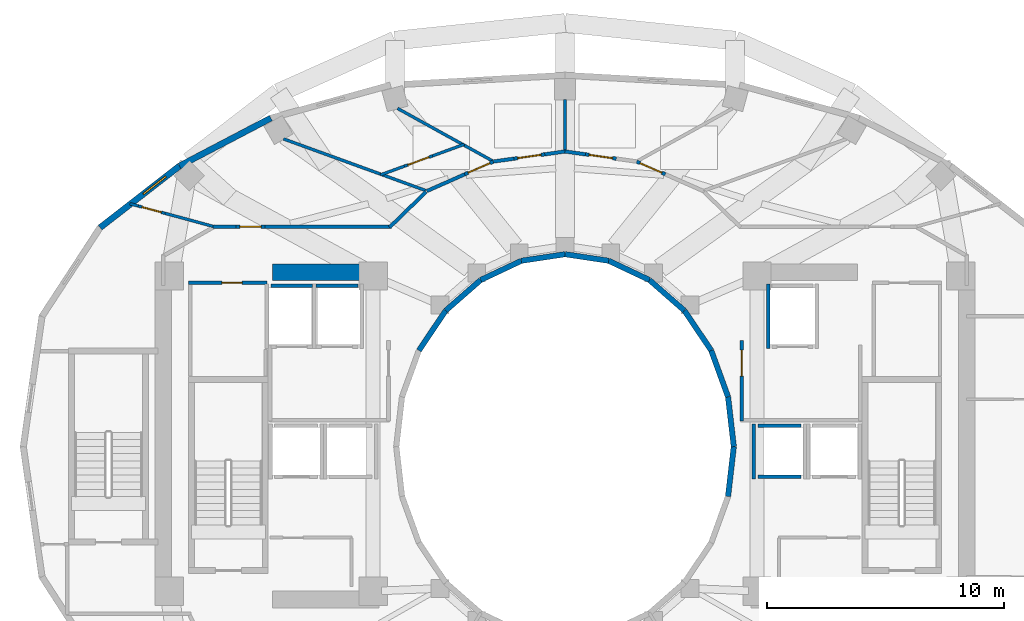
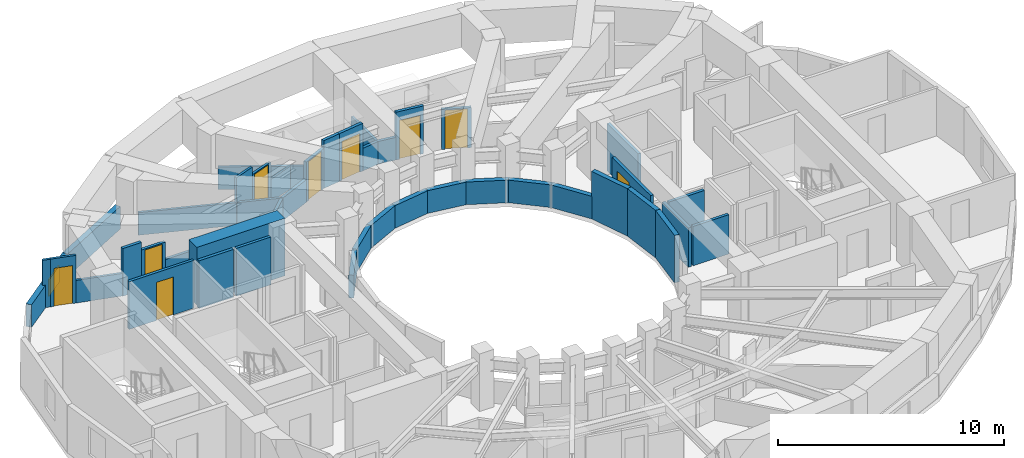
# One storey, part 5 of 9: 43 walls, 9 doors, 1 window, 10 openings.
"""IFC4 building model written with IfcOpenShell, lengths in metres."""

import ifcopenshell
import ifcopenshell.guid

model = None  # the IFC model being written
_history = None  # IfcOwnerHistory: only IFC2X3 demands one
_inside = {}  # id of a spatial element -> (the spatial element, [elements in it])
_under = {}  # id of a project, library or spatial element -> (it, [spatial elements below it])
_declared = {}  # id of a project -> (the project, [libraries it declares])
_typed = {}  # id of a type object -> (the type object, [elements of that type])
_made_of = {}  # id of a material, layer set ... -> (it, [elements and type objects made of it])


def new_model(schema):
    """Start an empty IFC model of exactly this schema.

    Asked for "IFC4X3", IfcOpenShell would pick the latest addendum, in which some entities
    have other attributes; the version numbers below select the first issue.
    IFC2X3 requires an IfcOwnerHistory on every rooted entity: one is made here for all.
    """
    global model, _history
    if schema == "IFC4X3":
        model = ifcopenshell.file(schema_version=(4, 3, 0, 0))
    else:
        model = ifcopenshell.file(schema=schema)
    _inside.clear()
    _under.clear()
    _declared.clear()
    _typed.clear()
    _made_of.clear()
    _history = None
    if model.schema == "IFC2X3":
        org = make("IfcOrganization", Name="unknown")
        user = make(
            "IfcPersonAndOrganization",
            ThePerson=make("IfcPerson", FamilyName="unknown"),
            TheOrganization=org,
        )
        app = make(
            "IfcApplication",
            ApplicationDeveloper=org,
            Version="unknown",
            ApplicationFullName="unknown",
            ApplicationIdentifier="unknown",
        )
        _history = make(
            "IfcOwnerHistory",
            OwningUser=user,
            OwningApplication=app,
            ChangeAction="ADDED",
            CreationDate=0,
        )
    return model


def make(cls, **values):
    """One entity of the class cls with the attributes given. An attribute that is None is left unset."""
    return model.create_entity(
        cls, **{name: value for name, value in values.items() if value is not None}
    )


def rooted(cls, **values):
    """An entity with a GlobalId (a new one), such as an element, a storey or a relation."""
    return make(cls, GlobalId=ifcopenshell.guid.new(), OwnerHistory=_history, **values)


def si_unit(unit_type, name, prefix=None):
    """IfcSIUnit, for example si_unit("LENGTHUNIT", "METRE", prefix="MILLI")."""
    return make("IfcSIUnit", UnitType=unit_type, Prefix=prefix, Name=name)


def assignment(units):
    """IfcUnitAssignment: the units of a project."""
    return None if units is None else make("IfcUnitAssignment", Units=units)


def point(xyz):
    """IfcCartesianPoint."""
    return None if xyz is None else make("IfcCartesianPoint", Coordinates=xyz)


def direction(xyz):
    """IfcDirection."""
    return None if xyz is None else make("IfcDirection", DirectionRatios=xyz)


def frame(location, z_axis=None, x_axis=None):
    """IfcAxis2Placement3D, a coordinate frame: its origin and axes. An axis left out is left unset."""
    return make(
        "IfcAxis2Placement3D",
        Location=point(location),
        Axis=direction(z_axis),
        RefDirection=direction(x_axis),
    )


def frame_2d(location, x_axis=None):
    """IfcAxis2Placement2D, a coordinate frame in the plane: its origin and x axis."""
    return make(
        "IfcAxis2Placement2D", Location=point(location), RefDirection=direction(x_axis)
    )


def origin():
    """The frame at (0, 0, 0) with its axes left unset."""
    return frame((0.0, 0.0, 0.0))


def place(relative_to, where):
    """IfcLocalPlacement: puts the frame where relative to a parent placement (None: the world)."""
    return make(
        "IfcLocalPlacement", PlacementRelTo=relative_to, RelativePlacement=where
    )


def context(
    kind, dimensions, precision=None, world=None, true_north=None, identifier=None
):
    """IfcGeometricRepresentationContext, for example the 3D "Model" context."""
    return make(
        "IfcGeometricRepresentationContext",
        ContextIdentifier=identifier,
        ContextType=kind,
        CoordinateSpaceDimension=dimensions,
        Precision=precision,
        WorldCoordinateSystem=world,
        TrueNorth=true_north,
    )


def subcontext(parent, identifier, kind, view, scale=None):
    """IfcGeometricRepresentationSubContext, for example "Body" below "Model"."""
    return make(
        "IfcGeometricRepresentationSubContext",
        ContextIdentifier=identifier,
        ContextType=kind,
        ParentContext=parent,
        TargetScale=scale,
        TargetView=view,
    )


def project(units=None, contexts=None):
    """IfcProject with its units and contexts."""
    return rooted(
        "IfcProject",
        Name="project",
        RepresentationContexts=contexts,
        UnitsInContext=assignment(units),
    )


def spatial(cls, under=None, at=None, **own):
    """A site, building, storey or space (cls), placed at a placement, below another one or the project."""
    s = rooted(cls, ObjectPlacement=at, **own)
    if under is not None:
        _under.setdefault(under.id(), (under, []))[1].append(s)
    return s


def profile(cls, at=None, kind="AREA", **sizes):
    """A parametric profile (cls). Its sizes go by their IFC names, for example OverallWidth=200.0."""
    return make(cls, ProfileType=kind, Position=at, **sizes)


def rectangle(**sizes):
    """IfcRectangleProfileDef."""
    return profile("IfcRectangleProfileDef", **sizes)


def extrude(swept, where, along, depth):
    """IfcExtrudedAreaSolid: the profile swept, set in the frame where, extruded along a direction by depth."""
    return make(
        "IfcExtrudedAreaSolid",
        SweptArea=swept,
        Position=where,
        ExtrudedDirection=direction(along),
        Depth=depth,
    )


def shape(context_of_items, identifier, shape_type, items):
    """IfcShapeRepresentation: the items that make up one representation, for example the "Body"."""
    return make(
        "IfcShapeRepresentation",
        ContextOfItems=context_of_items,
        RepresentationIdentifier=identifier,
        RepresentationType=shape_type,
        Items=items,
    )


def material(Name=None, Category=None):
    """IfcMaterial."""
    return make("IfcMaterial", Name=Name, Category=Category)


def layer(
    of_material, thickness, ventilated=None, Name=None, Category=None, Priority=None
):
    """IfcMaterialLayer: one layer of a wall or slab, of a material (None: an air gap)."""
    return make(
        "IfcMaterialLayer",
        Material=of_material,
        LayerThickness=thickness,
        IsVentilated=ventilated,
        Name=Name,
        Category=Category,
        Priority=Priority,
    )


def layer_set(layers, Name=None):
    """IfcMaterialLayerSet."""
    return make("IfcMaterialLayerSet", MaterialLayers=layers, LayerSetName=Name)


def made_of(thing, what):
    """Note that an element or type object is made of a material, layer set ...; save() writes the relation."""
    if what is not None:
        _made_of.setdefault(what.id(), (what, []))[1].append(thing)
    return thing


def type_object(cls, material=None, **own):
    """A type object (cls), such as IfcWallType, which elements share."""
    return made_of(rooted(cls, **own), material)


def element(
    cls,
    number,
    at=None,
    inside=None,
    cuts=None,
    type_object=None,
    material=None,
    context=None,
    identifier="Body",
    shape_type=None,
    held_by="IfcProductDefinitionShape",
    body=None,
    shapes=None,
    **own,
):
    """One element of the class cls, such as IfcWall. Its Tag is "e" and its number.

    at: its placement. inside: the storey or other place that contains it. cuts: it is an
    opening in that element (IfcRelVoidsElement). A single representation is given by context,
    identifier, shape_type and body (its items); several are given by shapes. held_by: the class
    of the entity that holds the representations. save() writes the other relations.
    """
    e = rooted(cls, Tag="e%d" % number, ObjectPlacement=at, **own)
    if body is not None:
        shapes = [shape(context, identifier, shape_type, body)]
    if shapes is not None:
        e.Representation = make(held_by, Representations=shapes)
    if inside is not None:
        _inside.setdefault(inside.id(), (inside, []))[1].append(e)
    if cuts is not None:
        rooted(
            "IfcRelVoidsElement", RelatingBuildingElement=cuts, RelatedOpeningElement=e
        )
    if type_object is not None:
        _typed.setdefault(type_object.id(), (type_object, []))[1].append(e)
    return made_of(e, material)


def fill(opening, filler):
    """IfcRelFillsElement: the door or window that sits in an opening."""
    return rooted(
        "IfcRelFillsElement",
        RelatingOpeningElement=opening,
        RelatedBuildingElement=filler,
    )


def aggregate(whole, parts):
    """IfcRelAggregates: a whole, such as a stair, and the parts it consists of."""
    return rooted("IfcRelAggregates", RelatingObject=whole, RelatedObjects=parts)


def save(model, path):
    """Write the relations noted so far, then the file.

    IfcRelAggregates (storeys below a building ...), IfcRelContainedInSpatialStructure (elements
    in a storey), IfcRelDefinesByType, IfcRelAssociatesMaterial and IfcRelDeclares: one each for
    every whole, place, type object, material and project.
    """
    for whole, parts in _under.values():
        aggregate(whole, parts)
    for where, things in _inside.values():
        rooted(
            "IfcRelContainedInSpatialStructure",
            RelatedElements=things,
            RelatingStructure=where,
        )
    for kind, things in _typed.values():
        rooted("IfcRelDefinesByType", RelatedObjects=things, RelatingType=kind)
    for what, things in _made_of.values():
        rooted("IfcRelAssociatesMaterial", RelatedObjects=things, RelatingMaterial=what)
    for by, libraries in _declared.values():
        rooted("IfcRelDeclares", RelatingContext=by, RelatedDefinitions=libraries)
    model.write(path)


model = new_model("IFC4")

# Units and contexts
model_context = context("Model", 3, precision=1e-05, world=origin(), true_north=direction((0.0, 1.0)))
body_context = subcontext(model_context, "Body", "Model", "MODEL_VIEW")
ifc_project = project(units=[si_unit("LENGTHUNIT", "METRE"), si_unit("AREAUNIT", "SQUARE_METRE"), si_unit("VOLUMEUNIT", "CUBIC_METRE"), si_unit("PLANEANGLEUNIT", "RADIAN"), si_unit("MASSUNIT", "GRAM", prefix="KILO")], contexts=[model_context])

# Site, building, storey
site_placement = place(None, origin())
site = spatial("IfcSite", under=ifc_project, at=site_placement, CompositionType="ELEMENT")
building_placement = place(site_placement, origin())
building = spatial("IfcBuilding", under=site, at=building_placement, Name="Solvane Sanctuary Tower", CompositionType="ELEMENT")
storey_placement = place(building_placement, frame((0.0, 0.0, 140.5)))
storey = spatial("IfcBuildingStorey", under=building, at=storey_placement, Name="L42", CompositionType="ELEMENT", Elevation=140.5)

# Wall
ifc_material_1 = material(Name="Concrete C60/75", Category="concrete")
ifc_layer_1 = layer(ifc_material_1, 0.699951171875, Name="Concrete C60/75")
ifc_layer_set_1 = layer_set([ifc_layer_1], Name="Concrete C60/75")
wall_type_1 = type_object("IfcWallType", Name="Wall W-CORE-700", PredefinedType="SHEAR", material=ifc_layer_set_1)
wall_1_placement = place(storey_placement, frame((19.64990234375, 30.35009765625, 0.0), z_axis=(0.0, 0.0, 1.0), x_axis=(1.0, 0.0, 0.0)))
element("IfcWall", 1, at=wall_1_placement, inside=storey, type_object=wall_type_1, Name="L42 Core Shear Wall WC-N", PredefinedType="SHEAR", context=body_context, shape_type="SweptSolid", body=[
    extrude(rectangle(XDim=4.5, YDim=0.699951171875, at=frame_2d((2.25, 0.0))), origin(), (0.0, 0.0, 1.0), 3.10009765625),
])

# Wall, opening, door
ifc_material_2 = material(Name="Acoustic Gypsum Partition Board")
ifc_layer_2 = layer(ifc_material_2, 0.14990234375, Name="Acoustic Gypsum Partition Board")
ifc_layer_set_2 = layer_set([ifc_layer_2], Name="Acoustic Gypsum Partition Board")
wall_type_2 = type_object("IfcWallType", Name="Wall W-CORR-150", PredefinedType="PARTITIONING", material=ifc_layer_set_2)
wall_2_placement = place(storey_placement, frame((39.449951171875, 24.080078125, 0.0), z_axis=(0.0, 0.0, 1.0), x_axis=(0.0, 1.0, 0.0)))
wall_2 = element("IfcWall", 2, at=wall_2_placement, inside=storey, type_object=wall_type_2, Name="L42 East Firefighting Lobby West Wall", PredefinedType="PARTITIONING", context=body_context, shape_type="SweptSolid", body=[
    extrude(rectangle(XDim=3.39990234375, YDim=0.14990234375, at=frame_2d((1.699951171875, 0.0))), origin(), (0.0, 0.0, 1.0), 2.574951171875),
])
opening_1_placement = place(wall_2_placement, frame((1.893798828125, 0.0, 0.0)))
opening_1 = element("IfcOpeningElement", 3, at=opening_1_placement, cuts=wall_2, Name="Opening D-L42-05", PredefinedType="OPENING", context=body_context, shape_type="SweptSolid", body=[
    extrude(rectangle(XDim=1.10009765625, YDim=2.10009765625, at=frame_2d((0.550048828125, 1.050048828125))), frame((0.0, 0.0849609375, 0.0), z_axis=(0.0, -1.0, 0.0), x_axis=(1.0, 0.0, 0.0)), (0.0, 0.0, 1.0), 0.169921875),
])
ifc_material_3 = material(Name="Architectural Stainless Steel 316", Category="steel")
door_type_1 = type_object("IfcDoorType", Name="Door D-FFL", OperationType="NOTDEFINED", PredefinedType="DOOR", material=ifc_material_3)
door_1_placement = place(opening_1_placement, origin())
door_1 = element("IfcDoor", 4, at=door_1_placement, inside=storey, type_object=door_type_1, Name="L42 East Firefighting Lobby Fire Door", OperationType="SINGLE_SWING_LEFT", OverallHeight=2.10009765625, OverallWidth=1.10009765625, PredefinedType="DOOR", context=body_context, shape_type="SweptSolid", body=[
    extrude(rectangle(XDim=1.10009765625, YDim=2.10009765625, at=frame_2d((0.550048828125, 1.050048828125))), frame((0.0, 0.02490234375, 0.0), z_axis=(0.0, -1.0, 0.0), x_axis=(1.0, 0.0, 0.0)), (0.0, 0.0, 1.0), 0.050048828125),
])
fill(opening_1, door_1)

# Walls
wall_3_placement = place(storey_placement, frame((26.132568359375, 33.748779296875, 0.0), z_axis=(0.0, 0.0, 1.0), x_axis=(-0.717419568599, -0.696641344302, 0.0)))
element("IfcWall", 5, at=wall_3_placement, inside=storey, type_object=wall_type_2, Name="L42 NW Corner Throat Wall", PredefinedType="PARTITIONING", context=body_context, shape_type="SweptSolid", body=[
    extrude(rectangle(XDim=2.138427734375, YDim=0.14990234375, at=frame_2d((1.0693359375, 0.0))), origin(), (0.0, 0.0, 1.0), 1.219970703125),
])
wall_4_placement = place(storey_placement, frame((17.14990234375, 32.280029296875, 0.0), z_axis=(0.0, 0.0, 1.0), x_axis=(1.0, 0.0, 0.0)))
element("IfcWall", 6, at=wall_4_placement, inside=storey, type_object=wall_type_2, Name="L42 NW Corner Corridor Wall", PredefinedType="PARTITIONING", context=body_context, shape_type="SweptSolid", body=[
    extrude(rectangle(XDim=0.96435546875, YDim=0.14990234375, at=frame_2d((0.482177734375, 0.0))), origin(), (0.0, 0.0, 1.0), 2.574951171875),
])

# Wall, opening, door
wall_5_placement = place(storey_placement, frame((18.1142578125, 32.280029296875, 0.0), z_axis=(0.0, 0.0, 1.0), x_axis=(1.0, 0.0, 0.0)))
wall_5 = element("IfcWall", 7, at=wall_5_placement, inside=storey, type_object=wall_type_2, Name="L42 NW Corner Corridor Wall", PredefinedType="PARTITIONING", context=body_context, shape_type="SweptSolid", body=[
    extrude(rectangle(XDim=1.219970703125, YDim=0.14990234375, at=frame_2d((0.60986328125, 0.0))), origin(), (0.0, 0.0, 1.0), 2.159912109375),
])
opening_2_placement = place(wall_5_placement, frame((0.159912109375, 0.0, 0.0)))
opening_2 = element("IfcOpeningElement", 8, at=opening_2_placement, cuts=wall_5, Name="Opening D-L42-15", PredefinedType="OPENING", context=body_context, shape_type="SweptSolid", body=[
    extrude(rectangle(XDim=0.89990234375, YDim=2.10009765625, at=frame_2d((0.449951171875, 1.050048828125))), frame((0.0, 0.0849609375, 0.0), z_axis=(0.0, -1.0, 0.0), x_axis=(1.0, 0.0, 0.0)), (0.0, 0.0, 1.0), 0.169921875),
])
ifc_material_4 = material(Name="Engineered Tropical Hardwood", Category="wood")
door_type_2 = type_object("IfcDoorType", Name="Door D-WET-900", OperationType="NOTDEFINED", PredefinedType="DOOR", material=ifc_material_4)
door_2_placement = place(opening_2_placement, origin())
door_2 = element("IfcDoor", 9, at=door_2_placement, inside=storey, type_object=door_type_2, Name="L42 NW Corner Salon Door", OperationType="SINGLE_SWING_LEFT", OverallHeight=2.10009765625, OverallWidth=0.89990234375, PredefinedType="DOOR", context=body_context, shape_type="SweptSolid", body=[
    extrude(rectangle(XDim=0.89990234375, YDim=2.10009765625, at=frame_2d((0.449951171875, 1.050048828125))), frame((0.0, 0.02490234375, 0.0), z_axis=(0.0, -1.0, 0.0), x_axis=(1.0, 0.0, 0.0)), (0.0, 0.0, 1.0), 0.050048828125),
])
fill(opening_2, door_2)

# Wall
wall_6_placement = place(storey_placement, frame((19.334228515625, 32.280029296875, 0.0), z_axis=(0.0, 0.0, 1.0), x_axis=(1.0, 0.0, 0.0)))
element("IfcWall", 10, at=wall_6_placement, inside=storey, type_object=wall_type_2, Name="L42 NW Corner Corridor Wall", PredefinedType="PARTITIONING", context=body_context, shape_type="SweptSolid", body=[
    extrude(rectangle(XDim=5.335693359375, YDim=0.14990234375, at=frame_2d((2.66796875, 0.0))), origin(), (0.0, 0.0, 1.0), 1.219970703125),
])

# Wall, opening, door
wall_7_placement = place(storey_placement, frame((36.232177734375, 34.4921875, 0.0), z_axis=(0.0, 0.0, 1.0), x_axis=(-0.914382646268, 0.404851054345, 0.0)))
wall_7 = element("IfcWall", 11, at=wall_7_placement, inside=storey, type_object=wall_type_2, Name="L42 Unit Corridor Wall N1", PredefinedType="PARTITIONING", context=body_context, shape_type="SweptSolid", body=[
    extrude(rectangle(XDim=1.320068359375, YDim=0.14990234375, at=frame_2d((0.66015625, 0.0))), origin(), (0.0, 0.0, 1.0), 2.159912109375),
])
opening_3_placement = place(wall_7_placement, frame((0.159912109375, 0.0, 0.0)))
opening_3 = element("IfcOpeningElement", 12, at=opening_3_placement, cuts=wall_7, Name="Opening D-L42-22", PredefinedType="OPENING", context=body_context, shape_type="SweptSolid", body=[
    extrude(rectangle(XDim=1.0, YDim=2.10009765625, at=frame_2d((0.5, 1.050048828125))), frame((0.0, 0.0849609375, 0.0), z_axis=(0.0, -1.0, 0.0), x_axis=(1.0, 0.0, 0.0)), (0.0, 0.0, 1.0), 0.169921875),
])
door_type_3 = type_object("IfcDoorType", Name="Door D-UNIT", OperationType="NOTDEFINED", PredefinedType="DOOR", material=ifc_material_4)
door_3_placement = place(opening_3_placement, origin())
door_3 = element("IfcDoor", 13, at=door_3_placement, inside=storey, type_object=door_type_3, Name="L42 Unit Entrance Door N1", OperationType="SINGLE_SWING_RIGHT", OverallHeight=2.10009765625, OverallWidth=1.0, PredefinedType="DOOR", context=body_context, shape_type="SweptSolid", body=[
    extrude(rectangle(XDim=1.0, YDim=2.10009765625, at=frame_2d((0.5, 1.050048828125))), frame((0.0, 0.02490234375, 0.0), z_axis=(0.0, -1.0, 0.0), x_axis=(1.0, 0.0, 0.0)), (0.0, 0.0, 1.0), 0.050048828125),
])
fill(opening_3, door_3)

wall_8_placement = place(storey_placement, frame((34.161865234375, 35.150634765625, 0.0), z_axis=(0.0, 0.0, 1.0), x_axis=(-0.990228663531, 0.139453196171, 0.0)))
wall_8 = element("IfcWall", 14, at=wall_8_placement, inside=storey, type_object=wall_type_2, Name="L42 Unit Corridor Wall N2", PredefinedType="PARTITIONING", context=body_context, shape_type="SweptSolid", body=[
    extrude(rectangle(XDim=1.320068359375, YDim=0.14990234375, at=frame_2d((0.66015625, 0.0))), origin(), (0.0, 0.0, 1.0), 2.574951171875),
])
opening_4_placement = place(wall_8_placement, frame((0.159912109375, 0.0, 0.0)))
opening_4 = element("IfcOpeningElement", 15, at=opening_4_placement, cuts=wall_8, Name="Opening D-L42-23", PredefinedType="OPENING", context=body_context, shape_type="SweptSolid", body=[
    extrude(rectangle(XDim=1.0, YDim=2.10009765625, at=frame_2d((0.5, 1.050048828125))), frame((0.0, 0.0849609375, 0.0), z_axis=(0.0, -1.0, 0.0), x_axis=(1.0, 0.0, 0.0)), (0.0, 0.0, 1.0), 0.169921875),
])
door_4_placement = place(opening_4_placement, origin())
door_4 = element("IfcDoor", 16, at=door_4_placement, inside=storey, type_object=door_type_3, Name="L42 Unit Entrance Door N2", OperationType="SINGLE_SWING_LEFT", OverallHeight=2.10009765625, OverallWidth=1.0, PredefinedType="DOOR", context=body_context, shape_type="SweptSolid", body=[
    extrude(rectangle(XDim=1.0, YDim=2.10009765625, at=frame_2d((0.5, 1.050048828125))), frame((0.0, 0.02490234375, 0.0), z_axis=(0.0, -1.0, 0.0), x_axis=(1.0, 0.0, 0.0)), (0.0, 0.0, 1.0), 0.050048828125),
])
fill(opening_4, door_4)

# Walls
for number, where, z_axis, x_axis, name in (
    (17, (32.854736328125, 35.334716796875, 0.0), (0.0, 0.0, 1.0), (-0.990255371296, 0.139263418091, 0.0), "L42 Unit Corridor Wall N2"),
    (18, (32.008056640625, 35.4560546875, 0.0), (0.0, 0.0, 1.0), (-0.990255371296, -0.139263418091, 0.0), "L42 Unit Corridor Wall N3"),
):
    element("IfcWall", number, at=place(storey_placement, frame(where, z_axis=z_axis, x_axis=x_axis)), inside=storey, type_object=wall_type_2, Name=name, PredefinedType="PARTITIONING", context=body_context, shape_type="SweptSolid", body=[
        extrude(rectangle(XDim=0.871337890625, YDim=0.14990234375, at=frame_2d((0.435546875, 0.0))), origin(), (0.0, 0.0, 1.0), 1.219970703125),
    ])

# Wall, opening, door
wall_9_placement = place(storey_placement, frame((31.145263671875, 35.334716796875, 0.0), z_axis=(0.0, 0.0, 1.0), x_axis=(-0.990228663531, -0.139453196171, 0.0)))
wall_9 = element("IfcWall", 19, at=wall_9_placement, inside=storey, type_object=wall_type_2, Name="L42 Unit Corridor Wall N3", PredefinedType="PARTITIONING", context=body_context, shape_type="SweptSolid", body=[
    extrude(rectangle(XDim=1.320068359375, YDim=0.14990234375, at=frame_2d((0.66015625, 0.0))), origin(), (0.0, 0.0, 1.0), 2.574951171875),
])
opening_5_placement = place(wall_9_placement, frame((0.159912109375, 0.0, 0.0)))
opening_5 = element("IfcOpeningElement", 20, at=opening_5_placement, cuts=wall_9, Name="Opening D-L42-24", PredefinedType="OPENING", context=body_context, shape_type="SweptSolid", body=[
    extrude(rectangle(XDim=1.0, YDim=2.10009765625, at=frame_2d((0.5, 1.050048828125))), frame((0.0, 0.0849609375, 0.0), z_axis=(0.0, -1.0, 0.0), x_axis=(1.0, 0.0, 0.0)), (0.0, 0.0, 1.0), 0.169921875),
])
door_5_placement = place(opening_5_placement, origin())
door_5 = element("IfcDoor", 21, at=door_5_placement, inside=storey, type_object=door_type_3, Name="L42 Unit Entrance Door N3", OperationType="SINGLE_SWING_RIGHT", OverallHeight=2.10009765625, OverallWidth=1.0, PredefinedType="DOOR", context=body_context, shape_type="SweptSolid", body=[
    extrude(rectangle(XDim=1.0, YDim=2.10009765625, at=frame_2d((0.5, 1.050048828125))), frame((0.0, 0.02490234375, 0.0), z_axis=(0.0, -1.0, 0.0), x_axis=(1.0, 0.0, 0.0)), (0.0, 0.0, 1.0), 0.050048828125),
])
fill(opening_5, door_5)

# Wall
wall_10_placement = place(storey_placement, frame((29.838134765625, 35.150634765625, 0.0), z_axis=(0.0, 0.0, 1.0), x_axis=(-0.990255371296, -0.139263418091, 0.0)))
element("IfcWall", 22, at=wall_10_placement, inside=storey, type_object=wall_type_2, Name="L42 Unit Corridor Wall N3", PredefinedType="PARTITIONING", context=body_context, shape_type="SweptSolid", body=[
    extrude(rectangle(XDim=0.871337890625, YDim=0.14990234375, at=frame_2d((0.435546875, 0.0))), origin(), (0.0, 0.0, 1.0), 2.574951171875),
])

# Wall, opening, door
wall_11_placement = place(storey_placement, frame((28.974853515625, 35.026611328125, 0.0), z_axis=(0.0, 0.0, 1.0), x_axis=(-0.914382646268, -0.404851054345, 0.0)))
wall_11 = element("IfcWall", 23, at=wall_11_placement, inside=storey, type_object=wall_type_2, Name="L42 Unit Corridor Wall N4", PredefinedType="PARTITIONING", context=body_context, shape_type="SweptSolid", body=[
    extrude(rectangle(XDim=1.320068359375, YDim=0.14990234375, at=frame_2d((0.66015625, 0.0))), origin(), (0.0, 0.0, 1.0), 2.159912109375),
])
opening_6_placement = place(wall_11_placement, frame((0.159912109375, 0.0, 0.0)))
opening_6 = element("IfcOpeningElement", 24, at=opening_6_placement, cuts=wall_11, Name="Opening D-L42-26", PredefinedType="OPENING", context=body_context, shape_type="SweptSolid", body=[
    extrude(rectangle(XDim=1.0, YDim=2.10009765625, at=frame_2d((0.5, 1.050048828125))), frame((0.0, 0.0849609375, 0.0), z_axis=(0.0, -1.0, 0.0), x_axis=(1.0, 0.0, 0.0)), (0.0, 0.0, 1.0), 0.169921875),
])
door_6_placement = place(opening_6_placement, origin())
door_6 = element("IfcDoor", 25, at=door_6_placement, inside=storey, type_object=door_type_3, Name="L42 Unit Entrance Door N4", OperationType="SINGLE_SWING_RIGHT", OverallHeight=2.10009765625, OverallWidth=1.0, PredefinedType="DOOR", context=body_context, shape_type="SweptSolid", body=[
    extrude(rectangle(XDim=1.0, YDim=2.10009765625, at=frame_2d((0.5, 1.050048828125))), frame((0.0, 0.02490234375, 0.0), z_axis=(0.0, -1.0, 0.0), x_axis=(1.0, 0.0, 0.0)), (0.0, 0.0, 1.0), 0.050048828125),
])
fill(opening_6, door_6)

# Walls
wall_12_placement = place(storey_placement, frame((27.767822265625, 34.4921875, 0.0), z_axis=(0.0, 0.0, 1.0), x_axis=(-0.91447091359, -0.404651638077, 0.0)))
element("IfcWall", 26, at=wall_12_placement, inside=storey, type_object=wall_type_2, Name="L42 Unit Corridor Wall N4", PredefinedType="PARTITIONING", context=body_context, shape_type="SweptSolid", body=[
    extrude(rectangle(XDim=1.752685546875, YDim=0.14990234375, at=frame_2d((0.87646484375, 0.0))), origin(), (0.0, 0.0, 1.0), 1.219970703125),
])
ifc_material_5 = material(Name="Precast concrete C40/50", Category="concrete")
ifc_layer_3 = layer(ifc_material_5, 0.260009765625, Name="Precast concrete C40/50")
ifc_layer_set_3 = layer_set([ifc_layer_3], Name="Precast concrete C40/50")
wall_type_3 = type_object("IfcWallType", Name="Wall W-EXT-250", PredefinedType="STANDARD", material=ifc_layer_set_3)
wall_13_placement = place(storey_placement, frame((19.5869140625, 36.86328125, 0.0), z_axis=(0.0, 0.0, 1.0), x_axis=(-0.885660265226, -0.464333818065, 0.0)))
element("IfcWall", 27, at=wall_13_placement, inside=storey, type_object=wall_type_3, Name="L42 Ceramic-Printed Facade Wall 08", PredefinedType="STANDARD", context=body_context, shape_type="SweptSolid", body=[
    extrude(rectangle(XDim=4.35400390625, YDim=0.260009765625, at=frame_2d((2.177001953125, 0.0))), origin(), (0.0, 0.0, 1.0), 1.219970703125),
])

# Wall, opening, window
wall_14_placement = place(storey_placement, frame((15.730712890625, 34.841552734375, 0.0), z_axis=(0.0, 0.0, 1.0), x_axis=(-0.790185650662, -0.612867552973, 0.0)))
wall_14 = element("IfcWall", 28, at=wall_14_placement, inside=storey, type_object=wall_type_3, Name="L42 Ceramic-Printed Facade Wall 09", PredefinedType="STANDARD", context=body_context, shape_type="SweptSolid", body=[
    extrude(rectangle(XDim=4.2392578125, YDim=0.260009765625, at=frame_2d((2.11962890625, 0.0))), origin(), (0.0, 0.0, 1.0), 1.219970703125),
])
opening_7_placement = place(wall_14_placement, frame((0.731201171875, 0.0, 0.14990234375)))
opening_7 = element("IfcOpeningElement", 29, at=opening_7_placement, cuts=wall_14, Name="Opening WN-OPER-1200", PredefinedType="OPENING", context=body_context, shape_type="SweptSolid", body=[
    extrude(rectangle(XDim=1.199951171875, YDim=0.89990234375, at=frame_2d((0.60009765625, 0.449951171875))), frame((0.0, 0.139892578125, 0.0), z_axis=(0.0, -1.0, 0.0), x_axis=(1.0, 0.0, 0.0)), (0.0, 0.0, 1.0), 0.280029296875),
])
ifc_material_6 = material(Name="Dark Ceramic-Fritted Low-E Glass", Category="glass")
window_type = type_object("IfcWindowType", Name="Window WN-OPER-1200", PartitioningType="SINGLE_PANEL", PredefinedType="WINDOW", material=ifc_material_6)
window_placement = place(opening_7_placement, origin())
window = element("IfcWindow", 30, at=window_placement, inside=storey, type_object=window_type, Name="L42 Operable Facade Window 09", OverallHeight=0.89990234375, OverallWidth=1.199951171875, PartitioningType="SINGLE_PANEL", PredefinedType="WINDOW", context=body_context, shape_type="SweptSolid", body=[
    extrude(rectangle(XDim=1.199951171875, YDim=0.89990234375, at=frame_2d((0.60009765625, 0.449951171875))), frame((0.0, 0.030029296875, 0.0), z_axis=(0.0, -1.0, 0.0), x_axis=(1.0, 0.0, 0.0)), (0.0, 0.0, 1.0), 0.06005859375),
])
fill(opening_7, window)

# Walls
ifc_layer_4 = layer(ifc_material_5, 0.22998046875, Name="Precast concrete C40/50")
ifc_layer_set_4 = layer_set([ifc_layer_4], Name="Precast concrete C40/50")
wall_type_4 = type_object("IfcWallType", Name="Wall W-EXT-SP220", PredefinedType="STANDARD", material=ifc_layer_set_4)
wall_15_placement = place(storey_placement, frame((39.1201171875, 23.0, 0.0), z_axis=(0.0, 0.0, 1.0), x_axis=(-0.114711713601, 0.993398823617, 0.0)))
element("IfcWall", 31, at=wall_15_placement, inside=storey, type_object=wall_type_4, Name="L42 Central Light-Well Wall 00", PredefinedType="STANDARD", context=body_context, shape_type="SweptSolid", body=[
    extrude(rectangle(XDim=2.115478515625, YDim=0.22998046875, at=frame_2d((1.0576171875, 0.0))), origin(), (0.0, 0.0, 1.0), 2.56005859375),
])
wall_16_placement = place(storey_placement, frame((38.87744140625, 25.1015625, 0.0), z_axis=(0.0, 0.0, 1.0), x_axis=(-0.341423187295, 0.93990968033, 0.0)))
element("IfcWall", 32, at=wall_16_placement, inside=storey, type_object=wall_type_4, Name="L42 Central Light-Well Wall 01", PredefinedType="STANDARD", context=body_context, shape_type="SweptSolid", body=[
    extrude(rectangle(XDim=2.083740234375, YDim=0.22998046875, at=frame_2d((1.0419921875, 0.0))), origin(), (0.0, 0.0, 1.0), 2.56005859375),
])
wall_17_placement = place(storey_placement, frame((38.166015625, 27.06005859375, 0.0), z_axis=(0.0, 0.0, 1.0), x_axis=(-0.558197800898, 0.829707909492, 0.0)))
element("IfcWall", 33, at=wall_17_placement, inside=storey, type_object=wall_type_4, Name="L42 Central Light-Well Wall 02", PredefinedType="STANDARD", context=body_context, shape_type="SweptSolid", body=[
    extrude(rectangle(XDim=2.02685546875, YDim=0.22998046875, at=frame_2d((1.013427734375, 0.0))), origin(), (0.0, 0.0, 1.0), 1.219970703125),
])
wall_18_placement = place(storey_placement, frame((37.03466796875, 28.74169921875, 0.0), z_axis=(0.0, 0.0, 1.0), x_axis=(-0.752576694707, 0.658504607869, 0.0)))
element("IfcWall", 34, at=wall_18_placement, inside=storey, type_object=wall_type_4, Name="L42 Central Light-Well Wall 03", PredefinedType="STANDARD", context=body_context, shape_type="SweptSolid", body=[
    extrude(rectangle(XDim=1.95947265625, YDim=0.22998046875, at=frame_2d((0.979736328125, 0.0))), origin(), (0.0, 0.0, 1.0), 1.219970703125),
])
wall_19_placement = place(storey_placement, frame((35.56005859375, 30.031982421875, 0.0), z_axis=(0.0, 0.0, 1.0), x_axis=(-0.904179699603, 0.427152280606, 0.0)))
element("IfcWall", 35, at=wall_19_placement, inside=storey, type_object=wall_type_4, Name="L42 Central Light-Well Wall 04", PredefinedType="STANDARD", context=body_context, shape_type="SweptSolid", body=[
    extrude(rectangle(XDim=1.899169921875, YDim=0.22998046875, at=frame_2d((0.94970703125, 0.0))), origin(), (0.0, 0.0, 1.0), 1.219970703125),
])
for number, where, z_axis, x_axis, name in (
    (36, (33.8427734375, 30.84326171875, 0.0), (0.0, 0.0, 1.0), (-0.988901730308, 0.148571086668, 0.0), "L42 Central Light-Well Wall 05"),
    (37, (32.0, 31.1201171875, 0.0), (0.0, 0.0, 1.0), (-0.988901730308, -0.148571086668, 0.0), "L42 Central Light-Well Wall 06"),
):
    element("IfcWall", number, at=place(storey_placement, frame(where, z_axis=z_axis, x_axis=x_axis)), inside=storey, type_object=wall_type_4, Name=name, PredefinedType="STANDARD", context=body_context, shape_type="SweptSolid", body=[
        extrude(rectangle(XDim=1.863525390625, YDim=0.22998046875, at=frame_2d((0.931640625, 0.0))), origin(), (0.0, 0.0, 1.0), 1.219970703125),
    ])
wall_20_placement = place(storey_placement, frame((30.1572265625, 30.84326171875, 0.0), z_axis=(0.0, 0.0, 1.0), x_axis=(-0.904179699603, -0.427152280606, 0.0)))
element("IfcWall", 38, at=wall_20_placement, inside=storey, type_object=wall_type_4, Name="L42 Central Light-Well Wall 07", PredefinedType="STANDARD", context=body_context, shape_type="SweptSolid", body=[
    extrude(rectangle(XDim=1.899169921875, YDim=0.22998046875, at=frame_2d((0.94970703125, 0.0))), origin(), (0.0, 0.0, 1.0), 1.219970703125),
])
wall_21_placement = place(storey_placement, frame((28.43994140625, 30.031982421875, 0.0), z_axis=(0.0, 0.0, 1.0), x_axis=(-0.752576694707, -0.658504607869, 0.0)))
element("IfcWall", 39, at=wall_21_placement, inside=storey, type_object=wall_type_4, Name="L42 Central Light-Well Wall 08", PredefinedType="STANDARD", context=body_context, shape_type="SweptSolid", body=[
    extrude(rectangle(XDim=1.95947265625, YDim=0.22998046875, at=frame_2d((0.979736328125, 0.0))), origin(), (0.0, 0.0, 1.0), 1.219970703125),
])
wall_22_placement = place(storey_placement, frame((26.96533203125, 28.74169921875, 0.0), z_axis=(0.0, 0.0, 1.0), x_axis=(-0.558197800898, -0.829707909492, 0.0)))
element("IfcWall", 40, at=wall_22_placement, inside=storey, type_object=wall_type_4, Name="L42 Central Light-Well Wall 09", PredefinedType="STANDARD", context=body_context, shape_type="SweptSolid", body=[
    extrude(rectangle(XDim=2.02685546875, YDim=0.22998046875, at=frame_2d((1.013427734375, 0.0))), origin(), (0.0, 0.0, 1.0), 1.219970703125),
])
wall_23_placement = place(storey_placement, frame((38.87744140625, 20.8984375, 0.0), z_axis=(0.0, 0.0, 1.0), x_axis=(0.114711713601, 0.993398823617, 0.0)))
element("IfcWall", 41, at=wall_23_placement, inside=storey, type_object=wall_type_4, Name="L42 Central Light-Well Wall 23", PredefinedType="STANDARD", context=body_context, shape_type="SweptSolid", body=[
    extrude(rectangle(XDim=2.115478515625, YDim=0.22998046875, at=frame_2d((1.0576171875, 0.0))), origin(), (0.0, 0.0, 1.0), 2.56005859375),
])
ifc_layer_5 = layer(ifc_material_2, 0.1201171875, Name="Acoustic Gypsum Partition Board")
ifc_layer_set_5 = layer_set([ifc_layer_5], Name="Acoustic Gypsum Partition Board")
wall_type_5 = type_object("IfcWallType", Name="Wall W-MOV-100", PredefinedType="MOVABLE", material=ifc_layer_set_5)
wall_24_placement = place(storey_placement, frame((17.248291015625, 32.266845703125, 0.0), z_axis=(0.0, 0.0, 1.0), x_axis=(-0.964996026859, 0.262264500356, 0.0)))
element("IfcWall", 42, at=wall_24_placement, inside=storey, type_object=wall_type_5, Name="L42 NW Corner Suite Partition", PredefinedType="MOVABLE", context=body_context, shape_type="SweptSolid", body=[
    extrude(rectangle(XDim=2.204345703125, YDim=0.1201171875, at=frame_2d((1.10205078125, 0.0))), origin(), (0.0, 0.0, 1.0), 1.219970703125),
])

# Wall, opening, door
wall_25_placement = place(storey_placement, frame((15.12109375, 32.844970703125, 0.0), z_axis=(0.0, 0.0, 1.0), x_axis=(-0.964994566257, 0.262269874548, 0.0)))
wall_25 = element("IfcWall", 43, at=wall_25_placement, inside=storey, type_object=wall_type_5, Name="L42 NW Corner Suite Partition", PredefinedType="MOVABLE", context=body_context, shape_type="SweptSolid", body=[
    extrude(rectangle(XDim=1.170166015625, YDim=0.1201171875, at=frame_2d((0.5849609375, 0.0))), origin(), (0.0, 0.0, 1.0), 2.574951171875),
])
opening_8_placement = place(wall_25_placement, frame((0.159912109375, 0.0, 0.0)))
opening_8 = element("IfcOpeningElement", 44, at=opening_8_placement, cuts=wall_25, Name="Opening D-L42-14", PredefinedType="OPENING", context=body_context, shape_type="SweptSolid", body=[
    extrude(rectangle(XDim=0.85009765625, YDim=2.050048828125, at=frame_2d((0.425048828125, 1.02490234375))), frame((0.0, 0.070068359375, 0.0), z_axis=(0.0, -1.0, 0.0), x_axis=(1.0, 0.0, 0.0)), (0.0, 0.0, 1.0), 0.14013671875),
])
door_type_4 = type_object("IfcDoorType", Name="Door D-RISER", OperationType="NOTDEFINED", PredefinedType="DOOR", material=ifc_material_3)
door_7_placement = place(opening_8_placement, origin())
door_7 = element("IfcDoor", 45, at=door_7_placement, inside=storey, type_object=door_type_4, Name="L42 NW Corner Suite Door", OperationType="SINGLE_SWING_RIGHT", OverallHeight=2.050048828125, OverallWidth=0.85009765625, PredefinedType="DOOR", context=body_context, shape_type="SweptSolid", body=[
    extrude(rectangle(XDim=0.85009765625, YDim=2.050048828125, at=frame_2d((0.425048828125, 1.02490234375))), frame((0.0, 0.02490234375, 0.0), z_axis=(0.0, -1.0, 0.0), x_axis=(1.0, 0.0, 0.0)), (0.0, 0.0, 1.0), 0.050048828125),
])
fill(opening_8, door_7)

# Walls
wall_26_placement = place(storey_placement, frame((13.991943359375, 33.15185546875, 0.0), z_axis=(0.0, 0.0, 1.0), x_axis=(-0.964996222189, 0.26226378164, 0.0)))
element("IfcWall", 46, at=wall_26_placement, inside=storey, type_object=wall_type_5, Name="L42 NW Corner Suite Partition", PredefinedType="MOVABLE", context=body_context, shape_type="SweptSolid", body=[
    extrude(rectangle(XDim=0.363037109375, YDim=0.1201171875, at=frame_2d((0.181640625, 0.0))), origin(), (0.0, 0.0, 1.0), 2.574951171875),
])
wall_27_placement = place(storey_placement, frame((27.7490234375, 35.757080078125, 0.0), z_axis=(0.0, 0.0, 1.0), x_axis=(-0.939467704653, -0.342637464259, 0.0)))
element("IfcWall", 47, at=wall_27_placement, inside=storey, type_object=wall_type_5, Name="L42 Suite Sitting Lounge Partition N4", PredefinedType="MOVABLE", context=body_context, shape_type="SweptSolid", body=[
    extrude(rectangle(XDim=1.42431640625, YDim=0.1201171875, at=frame_2d((0.712158203125, 0.0))), origin(), (0.0, 0.0, 1.0), 1.219970703125),
])

# Wall, opening, door
wall_28_placement = place(storey_placement, frame((26.410888671875, 35.26904296875, 0.0), z_axis=(0.0, 0.0, 1.0), x_axis=(-0.939428071916, -0.34274611259, 0.0)))
wall_28 = element("IfcWall", 48, at=wall_28_placement, inside=storey, type_object=wall_type_5, Name="L42 Suite Sitting Lounge Partition N4", PredefinedType="MOVABLE", context=body_context, shape_type="SweptSolid", body=[
    extrude(rectangle(XDim=1.27001953125, YDim=0.1201171875, at=frame_2d((0.635009765625, 0.0))), origin(), (0.0, 0.0, 1.0), 2.159912109375),
])
opening_9_placement = place(wall_28_placement, frame((0.159912109375, 0.0, 0.0)))
opening_9 = element("IfcOpeningElement", 49, at=opening_9_placement, cuts=wall_28, Name="Opening D-L42-25", PredefinedType="OPENING", context=body_context, shape_type="SweptSolid", body=[
    extrude(rectangle(XDim=0.949951171875, YDim=2.10009765625, at=frame_2d((0.47509765625, 1.050048828125))), frame((0.0, 0.070068359375, 0.0), z_axis=(0.0, -1.0, 0.0), x_axis=(1.0, 0.0, 0.0)), (0.0, 0.0, 1.0), 0.14013671875),
])
door_type_5 = type_object("IfcDoorType", Name="Door D-ROOM-950", OperationType="NOTDEFINED", PredefinedType="DOOR", material=ifc_material_4)
door_8_placement = place(opening_9_placement, origin())
door_8 = element("IfcDoor", 50, at=door_8_placement, inside=storey, type_object=door_type_5, Name="L42 Suite Sitting Lounge Door N4", OperationType="SINGLE_SWING_LEFT", OverallHeight=2.10009765625, OverallWidth=0.949951171875, PredefinedType="DOOR", context=body_context, shape_type="SweptSolid", body=[
    extrude(rectangle(XDim=0.949951171875, YDim=2.10009765625, at=frame_2d((0.47509765625, 1.050048828125))), frame((0.0, 0.02490234375, 0.0), z_axis=(0.0, -1.0, 0.0), x_axis=(1.0, 0.0, 0.0)), (0.0, 0.0, 1.0), 0.050048828125),
])
fill(opening_9, door_8)

# Walls
wall_29_placement = place(storey_placement, frame((25.2177734375, 34.833740234375, 0.0), z_axis=(0.0, 0.0, 1.0), x_axis=(-0.939387563121, -0.342857122214, 0.0)))
element("IfcWall", 51, at=wall_29_placement, inside=storey, type_object=wall_type_5, Name="L42 Suite Sitting Lounge Partition N4", PredefinedType="MOVABLE", context=body_context, shape_type="SweptSolid", body=[
    extrude(rectangle(XDim=1.072998046875, YDim=0.1201171875, at=frame_2d((0.53662109375, 0.0))), origin(), (0.0, 0.0, 1.0), 2.574951171875),
])
ifc_layer_6 = layer(ifc_material_2, 0.125, Name="Acoustic Gypsum Partition Board")
ifc_layer_set_6 = layer_set([ifc_layer_6], Name="Acoustic Gypsum Partition Board")
wall_type_6 = type_object("IfcWallType", Name="Wall W-PART-125", PredefinedType="PARTITIONING", material=ifc_layer_set_6)
wall_30_placement = place(storey_placement, frame((32.0, 35.510986328125, 0.0), z_axis=(0.0, 0.0, 1.0), x_axis=(0.0, 1.0, 0.0)))
element("IfcWall", 52, at=wall_30_placement, inside=storey, type_object=wall_type_6, Name="L42 Radial Compartment Wall 090", PredefinedType="PARTITIONING", context=body_context, shape_type="SweptSolid", body=[
    extrude(rectangle(XDim=2.138916015625, YDim=0.125, at=frame_2d((1.0693359375, 0.0))), origin(), (0.0, 0.0, 1.0), 1.219970703125),
])
wall_31_placement = place(storey_placement, frame((28.93505859375, 35.05810546875, 0.0), z_axis=(0.0, 0.0, 1.0), x_axis=(-0.875077338582, 0.48398311076, 0.0)))
element("IfcWall", 53, at=wall_31_placement, inside=storey, type_object=wall_type_6, Name="L42 Radial Compartment Wall 105", PredefinedType="PARTITIONING", context=body_context, shape_type="SweptSolid", body=[
    extrude(rectangle(XDim=4.5732421875, YDim=0.125, at=frame_2d((2.28662109375, 0.0))), origin(), (0.0, 0.0, 1.0), 1.219970703125),
])
wall_32_placement = place(storey_placement, frame((26.120361328125, 33.805908203125, 0.0), z_axis=(0.0, 0.0, 1.0), x_axis=(-0.939901628116, 0.341445353557, 0.0)))
element("IfcWall", 54, at=wall_32_placement, inside=storey, type_object=wall_type_6, Name="L42 Radial Compartment Wall 120", PredefinedType="PARTITIONING", context=body_context, shape_type="SweptSolid", body=[
    extrude(rectangle(XDim=6.38720703125, YDim=0.125, at=frame_2d((3.193603515625, 0.0))), origin(), (0.0, 0.0, 1.0), 1.219970703125),
])
ifc_material_7 = material(Name="Concrete C50/60", Category="concrete")
ifc_layer_7 = layer(ifc_material_7, 0.14990234375, Name="Concrete C50/60")
ifc_layer_set_7 = layer_set([ifc_layer_7], Name="Concrete C50/60")
wall_type_7 = type_object("IfcWallType", Name="Wall W-SHAFT-150", PredefinedType="SOLIDWALL", material=ifc_layer_set_7)
for number, where, z_axis, x_axis, name in (
    (55, (40.139892578125, 21.719970703125, 0.0), (0.0, 0.0, 1.0), (1.0, 0.0, 0.0), "L42 PH-2 Lift Shaft Wall F"),
    (56, (40.139892578125, 23.8798828125, 0.0), (0.0, 0.0, 1.0), (1.0, 0.0, 0.0), "L42 PH-2 Lift Shaft Wall B"),
):
    element("IfcWall", number, at=place(storey_placement, frame(where, z_axis=z_axis, x_axis=x_axis)), inside=storey, type_object=wall_type_7, Name=name, PredefinedType="SOLIDWALL", context=body_context, shape_type="SweptSolid", body=[
        extrude(rectangle(XDim=1.820068359375, YDim=0.14990234375, at=frame_2d((0.91015625, 0.0))), origin(), (0.0, 0.0, 1.0), 2.1201171875),
    ])
wall_33_placement = place(storey_placement, frame((39.969970703125, 21.639892578125, 0.0), z_axis=(0.0, 0.0, 1.0), x_axis=(0.0, 1.0, 0.0)))
element("IfcWall", 57, at=wall_33_placement, inside=storey, type_object=wall_type_7, Name="L42 PH-2 Lift Shaft Wall S1", PredefinedType="SOLIDWALL", context=body_context, shape_type="SweptSolid", body=[
    extrude(rectangle(XDim=2.320068359375, YDim=0.14990234375, at=frame_2d((1.16015625, 0.0))), origin(), (0.0, 0.0, 1.0), 2.1201171875),
])
for number, where, z_axis, x_axis, name in (
    (58, (19.590087890625, 29.780029296875, 0.0), (0.0, 0.0, 1.0), (1.0, 0.0, 0.0), "L42 FFL-1 Lift Shaft Wall B"),
    (59, (21.5, 29.780029296875, 0.0), (0.0, 0.0, 1.0), (1.0, 0.0, 0.0), "L42 SVL-1 Lift Shaft Wall B"),
):
    element("IfcWall", number, at=place(storey_placement, frame(where, z_axis=z_axis, x_axis=x_axis)), inside=storey, type_object=wall_type_7, Name=name, PredefinedType="SOLIDWALL", context=body_context, shape_type="SweptSolid", body=[
        extrude(rectangle(XDim=1.760009765625, YDim=0.14990234375, at=frame_2d((0.8798828125, 0.0))), origin(), (0.0, 0.0, 1.0), 2.574951171875),
    ])
wall_34_placement = place(storey_placement, frame((40.570068359375, 27.139892578125, 0.0), z_axis=(0.0, 0.0, 1.0), x_axis=(0.0, 1.0, 0.0)))
element("IfcWall", 60, at=wall_34_placement, inside=storey, type_object=wall_type_7, Name="L42 FFL-2 Lift Shaft Wall S1", PredefinedType="SOLIDWALL", context=body_context, shape_type="SweptSolid", body=[
    extrude(rectangle(XDim=2.72021484375, YDim=0.14990234375, at=frame_2d((1.360107421875, 0.0))), origin(), (0.0, 0.0, 1.0), 2.574951171875),
])

# Wall, opening, door
ifc_layer_8 = layer(ifc_material_2, 0.139892578125, Name="Acoustic Gypsum Partition Board")
ifc_layer_set_8 = layer_set([ifc_layer_8], Name="Acoustic Gypsum Partition Board")
wall_type_8 = type_object("IfcWallType", Name="Wall W-WET-140", PredefinedType="PLUMBINGWALL", material=ifc_layer_set_8)
wall_35_placement = place(storey_placement, frame((16.1201171875, 29.919921875, 0.0), z_axis=(0.0, 0.0, 1.0), x_axis=(1.0, 0.0, 0.0)))
wall_35 = element("IfcWall", 61, at=wall_35_placement, inside=storey, type_object=wall_type_8, Name="L42 Core Service Front Wall KW0", PredefinedType="PLUMBINGWALL", context=body_context, shape_type="SweptSolid", body=[
    extrude(rectangle(XDim=3.2998046875, YDim=0.139892578125, at=frame_2d((1.64990234375, 0.0))), origin(), (0.0, 0.0, 1.0), 2.574951171875),
])
opening_10_placement = place(wall_35_placement, frame((1.3994140625, 0.0, 0.0)))
opening_10 = element("IfcOpeningElement", 62, at=opening_10_placement, cuts=wall_35, Name="Opening D-L42-08", PredefinedType="OPENING", context=body_context, shape_type="SweptSolid", body=[
    extrude(rectangle(XDim=0.85009765625, YDim=2.050048828125, at=frame_2d((0.425048828125, 1.02490234375))), frame((0.0, 0.079833984375, 0.0), z_axis=(0.0, -1.0, 0.0), x_axis=(1.0, 0.0, 0.0)), (0.0, 0.0, 1.0), 0.159912109375),
])
door_9_placement = place(opening_10_placement, origin())
door_9 = element("IfcDoor", 63, at=door_9_placement, inside=storey, type_object=door_type_4, Name="L42 Core Service Room Door KW0-1", OperationType="SINGLE_SWING_RIGHT", OverallHeight=2.050048828125, OverallWidth=0.85009765625, PredefinedType="DOOR", context=body_context, shape_type="SweptSolid", body=[
    extrude(rectangle(XDim=0.85009765625, YDim=2.050048828125, at=frame_2d((0.425048828125, 1.02490234375))), frame((0.0, 0.02490234375, 0.0), z_axis=(0.0, -1.0, 0.0), x_axis=(1.0, 0.0, 0.0)), (0.0, 0.0, 1.0), 0.050048828125),
])
fill(opening_10, door_9)

save(model, "model.ifc")
